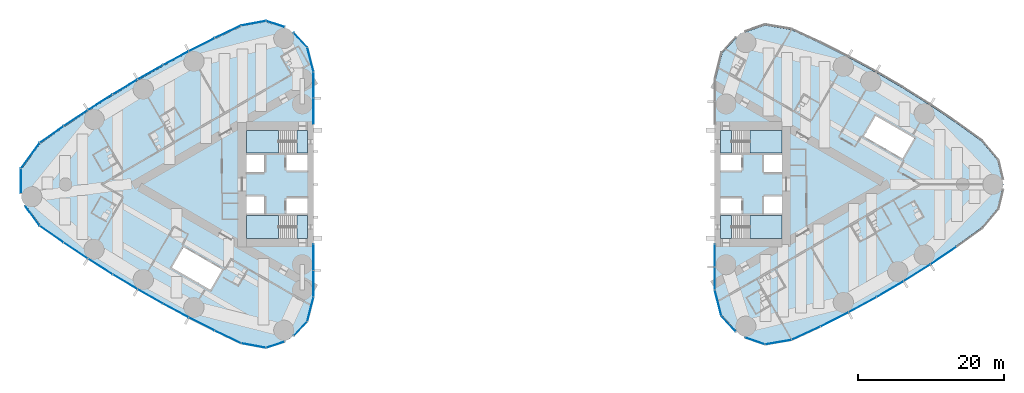
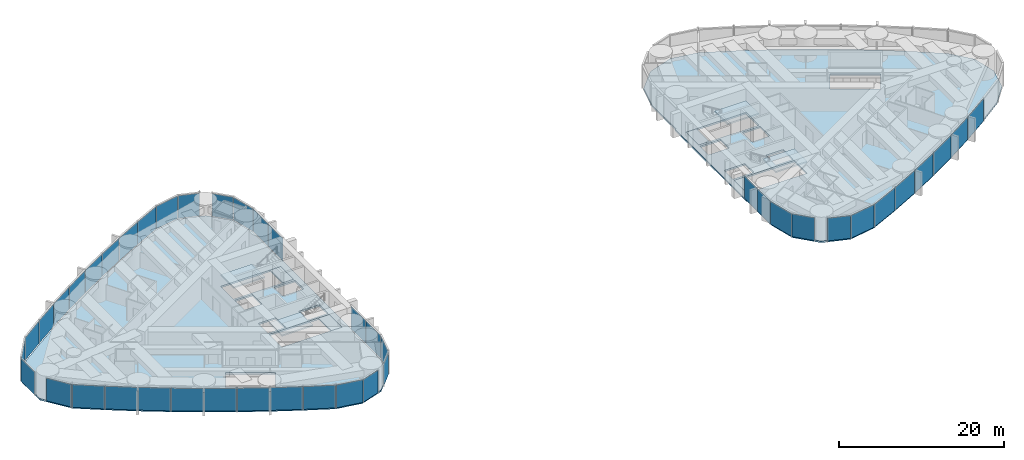
# One storey, part 10 of 19: 43 plates, 10 slabs, 10 elements without a shape of their own.
"""IFC4 building model written with IfcOpenShell, lengths in metres."""

from ifc_helpers import new_model, si_unit, direction, frame, origin, origin_2d, place, context, subcontext, project, spatial, polyline, rectangle, outline, extrude, material, layer, layer_set, type_object, element, aggregate, save


model = new_model("IFC4")

# Units and contexts
model_context = context("Model", 3, precision=1e-05, world=origin(), true_north=direction((0.0, 1.0)))
body_context = subcontext(model_context, "Body", "Model", "MODEL_VIEW")
ifc_project = project(units=[si_unit("LENGTHUNIT", "METRE"), si_unit("AREAUNIT", "SQUARE_METRE"), si_unit("VOLUMEUNIT", "CUBIC_METRE"), si_unit("PLANEANGLEUNIT", "RADIAN"), si_unit("MASSUNIT", "GRAM", prefix="KILO")], contexts=[model_context])

# Site, building, storey
site_placement = place(None, origin())
site = spatial("IfcSite", under=ifc_project, at=site_placement, CompositionType="ELEMENT")
building_placement = place(site_placement, origin())
building = spatial("IfcBuilding", under=site, at=building_placement, Name="Lancet Gate Hotel", CompositionType="ELEMENT")
storey_placement = place(building_placement, frame((0.0, 0.0, 170.300048828125)))
storey = spatial("IfcBuildingStorey", under=building, at=storey_placement, Name="L45", CompositionType="ELEMENT", Elevation=170.300048828125)

# Slabs
ifc_material_1 = material(Name="Concrete C50/60", Category="concrete")
ifc_layer_1 = layer(ifc_material_1, 0.25)
ifc_layer_set_1 = layer_set([ifc_layer_1], Name="Floor slab 250")
slab_type_1 = type_object("IfcSlabType", Name="Floor slab 250", PredefinedType="FLOOR", material=ifc_layer_set_1)
slab_1_placement = place(storey_placement, frame((0.0, 0.0, -0.25)))
element("IfcSlab", 1, at=slab_1_placement, inside=storey, type_object=slab_type_1, Name="T1 L45 floor slab", PredefinedType="FLOOR", context=body_context, shape_type="SweptSolid", body=[
    extrude(outline(polyline([(-27.5, 8.60009765625), (-27.6201171875, 8.60009765625), (-27.6201171875, 15.408203125), (-28.46923828125, 18.7265625), (-30.797607421875, 21.217529296875), (-34.0361328125, 22.283935546875), (-37.403564453125, 21.660400390625), (-40.996826171875, 19.9453125), (-44.561767578125, 18.139404296875), (-48.0830078125, 16.250244140625), (-51.558837890625, 14.27880859375), (-54.987548828125, 12.22607421875), (-58.366943359375, 10.09326171875), (-61.695068359375, 7.881591796875), (-64.955322265625, 5.602783203125), (-67.49560546875, 2.138427734375), (-67.49560546875, -2.138427734375), (-64.955322265625, -5.602783203125), (-61.695068359375, -7.881591796875), (-58.366943359375, -10.09326171875), (-54.987548828125, -12.22607421875), (-51.558837890625, -14.27880859375), (-48.0830078125, -16.250244140625), (-44.561767578125, -18.139404296875), (-40.996826171875, -19.9453125), (-37.403564453125, -21.660400390625), (-34.0361328125, -22.283935546875), (-30.797607421875, -21.217529296875), (-28.46923828125, -18.7265625), (-27.6201171875, -15.408203125), (-27.6201171875, -8.60009765625), (-27.5, -8.60009765625), (-27.5, -8.199951171875), (-27.5, 8.199951171875), (-27.5, 8.60009765625)]), holes=[polyline([(-36.699951171875, 7.39990234375), (-36.699951171875, 4.300048828125), (-28.300048828125, 4.300048828125), (-28.300048828125, 7.39990234375), (-36.699951171875, 7.39990234375)]), polyline([(-28.300048828125, 4.0), (-31.199951171875, 4.0), (-31.199951171875, 1.89990234375), (-28.300048828125, 1.89990234375), (-28.300048828125, 4.0)]), polyline([(-34.25, 4.0), (-36.699951171875, 4.0), (-36.699951171875, 1.64990234375), (-34.25, 1.64990234375), (-34.25, 4.0)]), polyline([(-36.699951171875, -1.64990234375), (-36.699951171875, -4.0), (-34.25, -4.0), (-34.25, -1.64990234375), (-36.699951171875, -1.64990234375)]), polyline([(-28.300048828125, -1.89990234375), (-31.199951171875, -1.89990234375), (-31.199951171875, -4.0), (-28.300048828125, -4.0), (-28.300048828125, -1.89990234375)]), polyline([(-28.300048828125, -4.300048828125), (-36.699951171875, -4.300048828125), (-36.699951171875, -7.39990234375), (-28.300048828125, -7.39990234375), (-28.300048828125, -4.300048828125)]), polyline([(-45.319091796875, -8.631103515625), (-46.9189453125, -11.402099609375), (-41.635986328125, -14.451904296875), (-40.035888671875, -11.680908203125), (-45.319091796875, -8.631103515625)])]), origin(), (0.0, 0.0, 1.0), 0.25),
])
slab_2_placement = place(storey_placement, frame((0.0, 0.0, -0.25)))
element("IfcSlab", 2, at=slab_2_placement, inside=storey, type_object=slab_type_1, Name="T2 L45 floor slab", PredefinedType="FLOOR", context=body_context, shape_type="SweptSolid", body=[
    extrude(outline(polyline([(27.5, -8.60009765625), (27.6201171875, -8.60009765625), (27.6201171875, -14.450439453125), (28.517822265625, -17.9853515625), (30.98291015625, -20.65185546875), (34.421875, -21.819091796875), (38.01513671875, -21.201171875), (41.9296875, -19.383056640625), (45.796875, -17.435302734375), (49.6005859375, -15.36572265625), (53.336669921875, -13.1767578125), (57.00146484375, -10.87060546875), (60.591552734375, -8.44921875), (64.092041015625, -5.9228515625), (66.283447265625, -3.307373046875), (67.06640625, 0.0), (66.283447265625, 3.307373046875), (64.092041015625, 5.9228515625), (60.591552734375, 8.44921875), (57.00146484375, 10.87060546875), (53.336669921875, 13.1767578125), (49.6005859375, 15.36572265625), (45.796875, 17.435302734375), (41.9296875, 19.383056640625), (38.01513671875, 21.201171875), (34.421875, 21.819091796875), (30.98291015625, 20.65185546875), (28.517822265625, 17.9853515625), (27.6201171875, 14.450439453125), (27.6201171875, 8.60009765625), (27.5, 8.60009765625), (27.5, 8.199951171875), (27.5, -8.199951171875), (27.5, -8.60009765625)]), holes=[polyline([(36.699951171875, -7.39990234375), (36.699951171875, -4.300048828125), (28.300048828125, -4.300048828125), (28.300048828125, -7.39990234375), (36.699951171875, -7.39990234375)]), polyline([(28.300048828125, -4.0), (31.199951171875, -4.0), (31.199951171875, -1.89990234375), (28.300048828125, -1.89990234375), (28.300048828125, -4.0)]), polyline([(34.25, -4.0), (36.699951171875, -4.0), (36.699951171875, -1.64990234375), (34.25, -1.64990234375), (34.25, -4.0)]), polyline([(36.699951171875, 1.64990234375), (36.699951171875, 4.0), (34.25, 4.0), (34.25, 1.64990234375), (36.699951171875, 1.64990234375)]), polyline([(28.300048828125, 1.89990234375), (31.199951171875, 1.89990234375), (31.199951171875, 4.0), (28.300048828125, 4.0), (28.300048828125, 1.89990234375)]), polyline([(28.300048828125, 4.300048828125), (36.699951171875, 4.300048828125), (36.699951171875, 7.39990234375), (28.300048828125, 7.39990234375), (28.300048828125, 4.300048828125)]), polyline([(53.242919921875, 3.555908203125), (54.843017578125, 6.326904296875), (49.56103515625, 9.376953125), (47.9609375, 6.60595703125), (53.242919921875, 3.555908203125)])]), origin(), (0.0, 0.0, 1.0), 0.25),
])

# Stair, slabs
ifc_material_2 = material(Name="Exit stair 20 risers 1500")
stair_type = type_object("IfcStairType", Name="Exit stair 20 risers 1500", PredefinedType="HALF_TURN_STAIR", material=ifc_material_2)
stair_1_placement = place(storey_placement, origin())
stair_1 = element("IfcStair", 3, at=stair_1_placement, inside=storey, type_object=stair_type, Name="T1 stair 1 L45", PredefinedType="HALF_TURN_STAIR")
ifc_material_3 = material(Name="Concrete C40/50", Category="concrete")
ifc_layer_2 = layer(ifc_material_3, 0.199951171875)
ifc_layer_set_2 = layer_set([ifc_layer_2], Name="Stair landing 200")
slab_type_2 = type_object("IfcSlabType", Name="Stair landing 200", PredefinedType="LANDING", material=ifc_layer_set_2)
slab_3_placement = place(storey_placement, frame((0.0, 0.0, -0.199951171875)))
slab_3 = element("IfcSlab", 4, at=slab_3_placement, type_object=slab_type_2, Name="ST1 landing 1", PredefinedType="LANDING", context=body_context, shape_type="SweptSolid", body=[
    extrude(outline(polyline([(-28.300048828125, 7.39990234375), (-29.800048828125, 7.39990234375), (-29.800048828125, 4.300048828125), (-28.300048828125, 4.300048828125), (-28.300048828125, 7.39990234375)])), origin(), (0.0, 0.0, 1.0), 0.199951171875),
])
slab_4_placement = place(storey_placement, frame((0.0, 0.0, 1.550048828125)))
slab_4 = element("IfcSlab", 5, at=slab_4_placement, type_object=slab_type_2, Name="ST1 landing 2", PredefinedType="LANDING", context=body_context, shape_type="SweptSolid", body=[
    extrude(outline(polyline([(-32.320068359375, 7.39990234375), (-36.699951171875, 7.39990234375), (-36.699951171875, 4.300048828125), (-32.320068359375, 4.300048828125), (-32.320068359375, 7.39990234375)])), origin(), (0.0, 0.0, 1.0), 0.199951171875),
])
aggregate(stair_1, [slab_3, slab_4])

stair_2_placement = place(storey_placement, origin())
stair_2 = element("IfcStair", 6, at=stair_2_placement, inside=storey, type_object=stair_type, Name="T1 stair 2 L45", PredefinedType="HALF_TURN_STAIR")
slab_5_placement = place(storey_placement, frame((0.0, 0.0, -0.199951171875)))
slab_5 = element("IfcSlab", 7, at=slab_5_placement, type_object=slab_type_2, Name="ST2 landing 1", PredefinedType="LANDING", context=body_context, shape_type="SweptSolid", body=[
    extrude(outline(polyline([(-28.300048828125, -4.300048828125), (-29.800048828125, -4.300048828125), (-29.800048828125, -7.39990234375), (-28.300048828125, -7.39990234375), (-28.300048828125, -4.300048828125)])), origin(), (0.0, 0.0, 1.0), 0.199951171875),
])
slab_6_placement = place(storey_placement, frame((0.0, 0.0, 1.550048828125)))
slab_6 = element("IfcSlab", 8, at=slab_6_placement, type_object=slab_type_2, Name="ST2 landing 2", PredefinedType="LANDING", context=body_context, shape_type="SweptSolid", body=[
    extrude(outline(polyline([(-32.320068359375, -4.300048828125), (-36.699951171875, -4.300048828125), (-36.699951171875, -7.39990234375), (-32.320068359375, -7.39990234375), (-32.320068359375, -4.300048828125)])), origin(), (0.0, 0.0, 1.0), 0.199951171875),
])
aggregate(stair_2, [slab_5, slab_6])

stair_3_placement = place(storey_placement, origin())
stair_3 = element("IfcStair", 9, at=stair_3_placement, inside=storey, type_object=stair_type, Name="T2 stair 1 L45", PredefinedType="HALF_TURN_STAIR")
slab_7_placement = place(storey_placement, frame((0.0, 0.0, -0.199951171875)))
slab_7 = element("IfcSlab", 10, at=slab_7_placement, type_object=slab_type_2, Name="ST3 landing 1", PredefinedType="LANDING", context=body_context, shape_type="SweptSolid", body=[
    extrude(outline(polyline([(28.300048828125, -7.39990234375), (29.800048828125, -7.39990234375), (29.800048828125, -4.300048828125), (28.300048828125, -4.300048828125), (28.300048828125, -7.39990234375)])), origin(), (0.0, 0.0, 1.0), 0.199951171875),
])
slab_8_placement = place(storey_placement, frame((0.0, 0.0, 1.550048828125)))
slab_8 = element("IfcSlab", 11, at=slab_8_placement, type_object=slab_type_2, Name="ST3 landing 2", PredefinedType="LANDING", context=body_context, shape_type="SweptSolid", body=[
    extrude(outline(polyline([(32.320068359375, -7.39990234375), (36.699951171875, -7.39990234375), (36.699951171875, -4.300048828125), (32.320068359375, -4.300048828125), (32.320068359375, -7.39990234375)])), origin(), (0.0, 0.0, 1.0), 0.199951171875),
])
aggregate(stair_3, [slab_7, slab_8])

stair_4_placement = place(storey_placement, origin())
stair_4 = element("IfcStair", 12, at=stair_4_placement, inside=storey, type_object=stair_type, Name="T2 stair 2 L45", PredefinedType="HALF_TURN_STAIR")
slab_9_placement = place(storey_placement, frame((0.0, 0.0, -0.199951171875)))
slab_9 = element("IfcSlab", 13, at=slab_9_placement, type_object=slab_type_2, Name="ST4 landing 1", PredefinedType="LANDING", context=body_context, shape_type="SweptSolid", body=[
    extrude(outline(polyline([(28.300048828125, 4.300048828125), (29.800048828125, 4.300048828125), (29.800048828125, 7.39990234375), (28.300048828125, 7.39990234375), (28.300048828125, 4.300048828125)])), origin(), (0.0, 0.0, 1.0), 0.199951171875),
])
slab_10_placement = place(storey_placement, frame((0.0, 0.0, 1.550048828125)))
slab_10 = element("IfcSlab", 14, at=slab_10_placement, type_object=slab_type_2, Name="ST4 landing 2", PredefinedType="LANDING", context=body_context, shape_type="SweptSolid", body=[
    extrude(outline(polyline([(32.320068359375, 4.300048828125), (36.699951171875, 4.300048828125), (36.699951171875, 7.39990234375), (32.320068359375, 7.39990234375), (32.320068359375, 4.300048828125)])), origin(), (0.0, 0.0, 1.0), 0.199951171875),
])
aggregate(stair_4, [slab_9, slab_10])

# Curtain wall, plates
ifc_material_4 = material(Name="Aluminium curtain wall", Category="aluminium")
curtain_wall_type = type_object("IfcCurtainWallType", Name="Tower unitised curtain wall", PredefinedType="USERDEFINED", material=ifc_material_4)
curtain_wall_1_placement = place(storey_placement, origin())
curtain_wall_1 = element("IfcCurtainWall", 15, at=curtain_wall_1_placement, inside=storey, type_object=curtain_wall_type, Name="T1 L45 curtain wall 1", ObjectType="UNITISED CURTAIN WALL", PredefinedType="USERDEFINED")
ifc_material_5 = material(Name="Glass double glazed unit 8-16-6", Category="glass")
ifc_layer_3 = layer(ifc_material_5, 0.030029296875)
ifc_layer_set_3 = layer_set([ifc_layer_3], Name="Vision panel double glazed")
plate_type = type_object("IfcPlateType", Name="Vision panel double glazed", PredefinedType="CURTAIN_PANEL", material=ifc_layer_set_3)
plate_1_placement = place(storey_placement, frame((-27.5, 10.005859375, 0.0), z_axis=(0.0, 0.0, 1.0), x_axis=(0.0, 1.0, 0.0)))
plate_1 = element("IfcPlate", 16, at=plate_1_placement, type_object=plate_type, Name="T1 L45 curtain wall 1 panel 1", PredefinedType="CURTAIN_PANEL", context=body_context, shape_type="SweptSolid", body=[
    extrude(rectangle(XDim=3.546630859375, YDim=0.030029296875, at=origin_2d()), origin(), (0.0, 0.0, 1.0), 3.35009765625),
])
plate_2_placement = place(storey_placement, frame((-27.5, 13.617431640625, 0.0), z_axis=(0.0, 0.0, 1.0), x_axis=(0.0, 1.0, 0.0)))
plate_2 = element("IfcPlate", 17, at=plate_2_placement, type_object=plate_type, Name="T1 L45 curtain wall 1 panel 2", PredefinedType="CURTAIN_PANEL", context=body_context, shape_type="SweptSolid", body=[
    extrude(rectangle(XDim=3.546630859375, YDim=0.030029296875, at=origin_2d()), origin(), (0.0, 0.0, 1.0), 3.35009765625),
])
plate_3_placement = place(storey_placement, frame((-27.930419921875, 17.104736328125, 0.0), z_axis=(0.0, 0.0, 1.0), x_axis=(-0.247936754654, 0.968776220647, 0.0)))
plate_3 = element("IfcPlate", 18, at=plate_3_placement, type_object=plate_type, Name="T1 L45 curtain wall 1 panel 3", PredefinedType="CURTAIN_PANEL", context=body_context, shape_type="SweptSolid", body=[
    extrude(rectangle(XDim=3.406005859375, YDim=0.030029296875, at=origin_2d()), origin(), (0.0, 0.0, 1.0), 3.35009765625),
])
plate_4_placement = place(storey_placement, frame((-29.28564453125, 19.77587890625, 0.0), z_axis=(0.0, 0.0, 1.0), x_axis=(-0.682844962172, 0.730563315282, 0.0)))
plate_4 = element("IfcPlate", 19, at=plate_4_placement, type_object=plate_type, Name="T1 L45 curtain wall 1 panel 4", PredefinedType="CURTAIN_PANEL", context=body_context, shape_type="SweptSolid", body=[
    extrude(rectangle(XDim=2.64453125, YDim=0.030029296875, at=origin_2d()), origin(), (0.0, 0.0, 1.0), 3.35009765625),
])
aggregate(curtain_wall_1, [plate_1, plate_2, plate_3, plate_4])

curtain_wall_2_placement = place(storey_placement, origin())
curtain_wall_2 = element("IfcCurtainWall", 20, at=curtain_wall_2_placement, inside=storey, type_object=curtain_wall_type, Name="T1 L45 curtain wall 2", ObjectType="UNITISED CURTAIN WALL", PredefinedType="USERDEFINED")
plate_5_placement = place(storey_placement, frame((-32.740234375, 21.983642578125, 0.0), z_axis=(0.0, 0.0, 1.0), x_axis=(-0.949848055084, 0.312711803827, 0.0)))
plate_5 = element("IfcPlate", 21, at=plate_5_placement, type_object=plate_type, Name="T1 L45 curtain wall 2 panel 1", PredefinedType="CURTAIN_PANEL", context=body_context, shape_type="SweptSolid", body=[
    extrude(rectangle(XDim=2.64599609375, YDim=0.030029296875, at=origin_2d()), origin(), (0.0, 0.0, 1.0), 3.35009765625),
])
plate_6_placement = place(storey_placement, frame((-35.734375, 22.091552734375, 0.0), z_axis=(0.0, 0.0, 1.0), x_axis=(-0.983292499426, -0.182032581075, 0.0)))
plate_6 = element("IfcPlate", 22, at=plate_6_placement, type_object=plate_type, Name="T1 L45 curtain wall 2 panel 2", PredefinedType="CURTAIN_PANEL", context=body_context, shape_type="SweptSolid", body=[
    extrude(rectangle(XDim=3.406005859375, YDim=0.030029296875, at=origin_2d()), origin(), (0.0, 0.0, 1.0), 3.35009765625),
])
plate_7_placement = place(storey_placement, frame((-39.245361328125, 20.914306640625, 0.0), z_axis=(0.0, 0.0, 1.0), x_axis=(-0.902453530018, -0.430787216799, 0.0)))
plate_7 = element("IfcPlate", 23, at=plate_7_placement, type_object=plate_type, Name="T1 L45 curtain wall 2 panel 3", PredefinedType="CURTAIN_PANEL", context=body_context, shape_type="SweptSolid", body=[
    extrude(rectangle(XDim=3.933837890625, YDim=0.030029296875, at=origin_2d()), origin(), (0.0, 0.0, 1.0), 3.35009765625),
])
plate_8_placement = place(storey_placement, frame((-42.83349609375, 19.1494140625, 0.0), z_axis=(0.0, 0.0, 1.0), x_axis=(-0.892071119911, -0.451895028762, 0.0)))
plate_8 = element("IfcPlate", 24, at=plate_8_placement, type_object=plate_type, Name="T1 L45 curtain wall 2 panel 4", PredefinedType="CURTAIN_PANEL", context=body_context, shape_type="SweptSolid", body=[
    extrude(rectangle(XDim=3.933837890625, YDim=0.030029296875, at=origin_2d()), origin(), (0.0, 0.0, 1.0), 3.35009765625),
])
plate_9_placement = place(storey_placement, frame((-46.379150390625, 17.300537109375, 0.0), z_axis=(0.0, 0.0, 1.0), x_axis=(-0.881195096384, -0.472752791751, 0.0)))
plate_9 = element("IfcPlate", 25, at=plate_9_placement, type_object=plate_type, Name="T1 L45 curtain wall 2 panel 5", PredefinedType="CURTAIN_PANEL", context=body_context, shape_type="SweptSolid", body=[
    extrude(rectangle(XDim=3.933837890625, YDim=0.030029296875, at=origin_2d()), origin(), (0.0, 0.0, 1.0), 3.35009765625),
])
plate_10_placement = place(storey_placement, frame((-49.880126953125, 15.368896484375, 0.0), z_axis=(0.0, 0.0, 1.0), x_axis=(-0.869831477496, -0.493348964484, 0.0)))
plate_10 = element("IfcPlate", 26, at=plate_10_placement, type_object=plate_type, Name="T1 L45 curtain wall 2 panel 6", PredefinedType="CURTAIN_PANEL", context=body_context, shape_type="SweptSolid", body=[
    extrude(rectangle(XDim=3.933837890625, YDim=0.030029296875, at=origin_2d()), origin(), (0.0, 0.0, 1.0), 3.35009765625),
])
plate_11_placement = place(storey_placement, frame((-53.3349609375, 13.35546875, 0.0), z_axis=(0.0, 0.0, 1.0), x_axis=(-0.857986551132, -0.51367215038, 0.0)))
plate_11 = element("IfcPlate", 27, at=plate_11_placement, type_object=plate_type, Name="T1 L45 curtain wall 2 panel 7", PredefinedType="CURTAIN_PANEL", context=body_context, shape_type="SweptSolid", body=[
    extrude(rectangle(XDim=3.933837890625, YDim=0.030029296875, at=origin_2d()), origin(), (0.0, 0.0, 1.0), 3.35009765625),
])
plate_12_placement = place(storey_placement, frame((-56.7412109375, 11.26123046875, 0.0), z_axis=(0.0, 0.0, 1.0), x_axis=(-0.845666871497, -0.533711103925, 0.0)))
plate_12 = element("IfcPlate", 28, at=plate_12_placement, type_object=plate_type, Name="T1 L45 curtain wall 2 panel 8", PredefinedType="CURTAIN_PANEL", context=body_context, shape_type="SweptSolid", body=[
    extrude(rectangle(XDim=3.933837890625, YDim=0.030029296875, at=origin_2d()), origin(), (0.0, 0.0, 1.0), 3.35009765625),
])
plate_13_placement = place(storey_placement, frame((-60.097412109375, 9.08740234375, 0.0), z_axis=(0.0, 0.0, 1.0), x_axis=(-0.832879255498, -0.553454736867, 0.0)))
plate_13 = element("IfcPlate", 29, at=plate_13_placement, type_object=plate_type, Name="T1 L45 curtain wall 2 panel 9", PredefinedType="CURTAIN_PANEL", context=body_context, shape_type="SweptSolid", body=[
    extrude(rectangle(XDim=3.933837890625, YDim=0.030029296875, at=origin_2d()), origin(), (0.0, 0.0, 1.0), 3.35009765625),
])
plate_14_placement = place(storey_placement, frame((-63.401611328125, 6.835205078125, 0.0), z_axis=(0.0, 0.0, 1.0), x_axis=(-0.819630778943, -0.572892124409, 0.0)))
plate_14 = element("IfcPlate", 30, at=plate_14_placement, type_object=plate_type, Name="T1 L45 curtain wall 2 panel 10", PredefinedType="CURTAIN_PANEL", context=body_context, shape_type="SweptSolid", body=[
    extrude(rectangle(XDim=3.933837890625, YDim=0.030029296875, at=origin_2d()), origin(), (0.0, 0.0, 1.0), 3.35009765625),
])
plate_15_placement = place(storey_placement, frame((-66.328125, 3.933837890625, 0.0), z_axis=(0.0, 0.0, 1.0), x_axis=(-0.591299785592, -0.806451835858, 0.0)))
plate_15 = element("IfcPlate", 31, at=plate_15_placement, type_object=plate_type, Name="T1 L45 curtain wall 2 panel 11", PredefinedType="CURTAIN_PANEL", context=body_context, shape_type="SweptSolid", body=[
    extrude(rectangle(XDim=4.290283203125, YDim=0.030029296875, at=origin_2d()), origin(), (0.0, 0.0, 1.0), 3.35009765625),
])
plate_16_placement = place(storey_placement, frame((-67.61572265625, 0.478515625, 0.0), z_axis=(0.0, 0.0, 1.0), x_axis=(0.0, -1.0, 0.0)))
plate_16 = element("IfcPlate", 32, at=plate_16_placement, type_object=plate_type, Name="T1 L45 curtain wall 2 panel 12", PredefinedType="CURTAIN_PANEL", context=body_context, shape_type="SweptSolid", body=[
    extrude(rectangle(XDim=3.333251953125, YDim=0.030029296875, at=origin_2d()), origin(), (0.0, 0.0, 1.0), 3.35009765625),
])
aggregate(curtain_wall_2, [plate_5, plate_6, plate_7, plate_8, plate_9, plate_10, plate_11, plate_12, plate_13, plate_14, plate_15, plate_16])

curtain_wall_3_placement = place(storey_placement, origin())
curtain_wall_3 = element("IfcCurtainWall", 33, at=curtain_wall_3_placement, inside=storey, type_object=curtain_wall_type, Name="T1 L45 curtain wall 3", ObjectType="UNITISED CURTAIN WALL", PredefinedType="USERDEFINED")
plate_17_placement = place(storey_placement, frame((-66.04541015625, -4.3193359375, 0.0), z_axis=(0.0, 0.0, 1.0), x_axis=(0.591299785592, -0.806451835858, 0.0)))
plate_17 = element("IfcPlate", 34, at=plate_17_placement, type_object=plate_type, Name="T1 L45 curtain wall 3 panel 1", PredefinedType="CURTAIN_PANEL", context=body_context, shape_type="SweptSolid", body=[
    extrude(rectangle(XDim=3.334228515625, YDim=0.030029296875, at=origin_2d()), origin(), (0.0, 0.0, 1.0), 3.35009765625),
])
plate_18_placement = place(storey_placement, frame((-63.401611328125, -6.835205078125, 0.0), z_axis=(0.0, 0.0, 1.0), x_axis=(0.819630778943, -0.572892124409, 0.0)))
plate_18 = element("IfcPlate", 35, at=plate_18_placement, type_object=plate_type, Name="T1 L45 curtain wall 3 panel 2", PredefinedType="CURTAIN_PANEL", context=body_context, shape_type="SweptSolid", body=[
    extrude(rectangle(XDim=3.933837890625, YDim=0.030029296875, at=origin_2d()), origin(), (0.0, 0.0, 1.0), 3.35009765625),
])
plate_19_placement = place(storey_placement, frame((-60.097412109375, -9.08740234375, 0.0), z_axis=(0.0, 0.0, 1.0), x_axis=(0.832879255498, -0.553454736867, 0.0)))
plate_19 = element("IfcPlate", 36, at=plate_19_placement, type_object=plate_type, Name="T1 L45 curtain wall 3 panel 3", PredefinedType="CURTAIN_PANEL", context=body_context, shape_type="SweptSolid", body=[
    extrude(rectangle(XDim=3.933837890625, YDim=0.030029296875, at=origin_2d()), origin(), (0.0, 0.0, 1.0), 3.35009765625),
])
plate_20_placement = place(storey_placement, frame((-56.7412109375, -11.26123046875, 0.0), z_axis=(0.0, 0.0, 1.0), x_axis=(0.845666871497, -0.533711103925, 0.0)))
plate_20 = element("IfcPlate", 37, at=plate_20_placement, type_object=plate_type, Name="T1 L45 curtain wall 3 panel 4", PredefinedType="CURTAIN_PANEL", context=body_context, shape_type="SweptSolid", body=[
    extrude(rectangle(XDim=3.933837890625, YDim=0.030029296875, at=origin_2d()), origin(), (0.0, 0.0, 1.0), 3.35009765625),
])
plate_21_placement = place(storey_placement, frame((-53.3349609375, -13.35546875, 0.0), z_axis=(0.0, 0.0, 1.0), x_axis=(0.857986551132, -0.51367215038, 0.0)))
plate_21 = element("IfcPlate", 38, at=plate_21_placement, type_object=plate_type, Name="T1 L45 curtain wall 3 panel 5", PredefinedType="CURTAIN_PANEL", context=body_context, shape_type="SweptSolid", body=[
    extrude(rectangle(XDim=3.933837890625, YDim=0.030029296875, at=origin_2d()), origin(), (0.0, 0.0, 1.0), 3.35009765625),
])
plate_22_placement = place(storey_placement, frame((-49.880126953125, -15.368896484375, 0.0), z_axis=(0.0, 0.0, 1.0), x_axis=(0.869831477496, -0.493348964484, 0.0)))
plate_22 = element("IfcPlate", 39, at=plate_22_placement, type_object=plate_type, Name="T1 L45 curtain wall 3 panel 6", PredefinedType="CURTAIN_PANEL", context=body_context, shape_type="SweptSolid", body=[
    extrude(rectangle(XDim=3.933837890625, YDim=0.030029296875, at=origin_2d()), origin(), (0.0, 0.0, 1.0), 3.35009765625),
])
plate_23_placement = place(storey_placement, frame((-46.379150390625, -17.300537109375, 0.0), z_axis=(0.0, 0.0, 1.0), x_axis=(0.881195096384, -0.472752791751, 0.0)))
plate_23 = element("IfcPlate", 40, at=plate_23_placement, type_object=plate_type, Name="T1 L45 curtain wall 3 panel 7", PredefinedType="CURTAIN_PANEL", context=body_context, shape_type="SweptSolid", body=[
    extrude(rectangle(XDim=3.933837890625, YDim=0.030029296875, at=origin_2d()), origin(), (0.0, 0.0, 1.0), 3.35009765625),
])
plate_24_placement = place(storey_placement, frame((-42.83349609375, -19.1494140625, 0.0), z_axis=(0.0, 0.0, 1.0), x_axis=(0.892071119911, -0.451895028762, 0.0)))
plate_24 = element("IfcPlate", 41, at=plate_24_placement, type_object=plate_type, Name="T1 L45 curtain wall 3 panel 8", PredefinedType="CURTAIN_PANEL", context=body_context, shape_type="SweptSolid", body=[
    extrude(rectangle(XDim=3.933837890625, YDim=0.030029296875, at=origin_2d()), origin(), (0.0, 0.0, 1.0), 3.35009765625),
])
plate_25_placement = place(storey_placement, frame((-39.245361328125, -20.914306640625, 0.0), z_axis=(0.0, 0.0, 1.0), x_axis=(0.902453530018, -0.430787216799, 0.0)))
plate_25 = element("IfcPlate", 42, at=plate_25_placement, type_object=plate_type, Name="T1 L45 curtain wall 3 panel 9", PredefinedType="CURTAIN_PANEL", context=body_context, shape_type="SweptSolid", body=[
    extrude(rectangle(XDim=3.933837890625, YDim=0.030029296875, at=origin_2d()), origin(), (0.0, 0.0, 1.0), 3.35009765625),
])
plate_26_placement = place(storey_placement, frame((-35.734375, -22.091552734375, 0.0), z_axis=(0.0, 0.0, 1.0), x_axis=(0.983292499426, -0.182032581075, 0.0)))
plate_26 = element("IfcPlate", 43, at=plate_26_placement, type_object=plate_type, Name="T1 L45 curtain wall 3 panel 10", PredefinedType="CURTAIN_PANEL", context=body_context, shape_type="SweptSolid", body=[
    extrude(rectangle(XDim=3.406005859375, YDim=0.030029296875, at=origin_2d()), origin(), (0.0, 0.0, 1.0), 3.35009765625),
])
plate_27_placement = place(storey_placement, frame((-32.740234375, -21.983642578125, 0.0), z_axis=(0.0, 0.0, 1.0), x_axis=(0.949848055084, 0.312711803827, 0.0)))
plate_27 = element("IfcPlate", 44, at=plate_27_placement, type_object=plate_type, Name="T1 L45 curtain wall 3 panel 11", PredefinedType="CURTAIN_PANEL", context=body_context, shape_type="SweptSolid", body=[
    extrude(rectangle(XDim=2.64599609375, YDim=0.030029296875, at=origin_2d()), origin(), (0.0, 0.0, 1.0), 3.35009765625),
])
aggregate(curtain_wall_3, [plate_17, plate_18, plate_19, plate_20, plate_21, plate_22, plate_23, plate_24, plate_25, plate_26, plate_27])

curtain_wall_4_placement = place(storey_placement, origin())
curtain_wall_4 = element("IfcCurtainWall", 45, at=curtain_wall_4_placement, inside=storey, type_object=curtain_wall_type, Name="T1 L45 curtain wall 4", ObjectType="UNITISED CURTAIN WALL", PredefinedType="USERDEFINED")
plate_28_placement = place(storey_placement, frame((-29.28564453125, -19.77587890625, 0.0), z_axis=(0.0, 0.0, 1.0), x_axis=(0.682844962172, 0.730563315282, 0.0)))
plate_28 = element("IfcPlate", 46, at=plate_28_placement, type_object=plate_type, Name="T1 L45 curtain wall 4 panel 1", PredefinedType="CURTAIN_PANEL", context=body_context, shape_type="SweptSolid", body=[
    extrude(rectangle(XDim=2.64453125, YDim=0.030029296875, at=origin_2d()), origin(), (0.0, 0.0, 1.0), 3.35009765625),
])
plate_29_placement = place(storey_placement, frame((-27.930419921875, -17.104736328125, 0.0), z_axis=(0.0, 0.0, 1.0), x_axis=(0.247936754654, 0.968776220647, 0.0)))
plate_29 = element("IfcPlate", 47, at=plate_29_placement, type_object=plate_type, Name="T1 L45 curtain wall 4 panel 2", PredefinedType="CURTAIN_PANEL", context=body_context, shape_type="SweptSolid", body=[
    extrude(rectangle(XDim=3.406005859375, YDim=0.030029296875, at=origin_2d()), origin(), (0.0, 0.0, 1.0), 3.35009765625),
])
plate_30_placement = place(storey_placement, frame((-27.5, -13.617431640625, 0.0), z_axis=(0.0, 0.0, 1.0), x_axis=(0.0, 1.0, 0.0)))
plate_30 = element("IfcPlate", 48, at=plate_30_placement, type_object=plate_type, Name="T1 L45 curtain wall 4 panel 3", PredefinedType="CURTAIN_PANEL", context=body_context, shape_type="SweptSolid", body=[
    extrude(rectangle(XDim=3.546630859375, YDim=0.030029296875, at=origin_2d()), origin(), (0.0, 0.0, 1.0), 3.35009765625),
])
plate_31_placement = place(storey_placement, frame((-27.5, -10.005859375, 0.0), z_axis=(0.0, 0.0, 1.0), x_axis=(0.0, 1.0, 0.0)))
plate_31 = element("IfcPlate", 49, at=plate_31_placement, type_object=plate_type, Name="T1 L45 curtain wall 4 panel 4", PredefinedType="CURTAIN_PANEL", context=body_context, shape_type="SweptSolid", body=[
    extrude(rectangle(XDim=3.546630859375, YDim=0.030029296875, at=origin_2d()), origin(), (0.0, 0.0, 1.0), 3.35009765625),
])
aggregate(curtain_wall_4, [plate_28, plate_29, plate_30, plate_31])

curtain_wall_5_placement = place(storey_placement, origin())
curtain_wall_5 = element("IfcCurtainWall", 50, at=curtain_wall_5_placement, inside=storey, type_object=curtain_wall_type, Name="T2 L45 curtain wall 1", ObjectType="UNITISED CURTAIN WALL", PredefinedType="USERDEFINED")
plate_32_placement = place(storey_placement, frame((27.5, -9.766357421875, 0.0), z_axis=(0.0, 0.0, 1.0), x_axis=(0.0, -1.0, 0.0)))
plate_32 = element("IfcPlate", 51, at=plate_32_placement, type_object=plate_type, Name="T2 L45 curtain wall 1 panel 1", PredefinedType="CURTAIN_PANEL", context=body_context, shape_type="SweptSolid", body=[
    extrude(rectangle(XDim=3.06787109375, YDim=0.030029296875, at=origin_2d()), origin(), (0.0, 0.0, 1.0), 3.35009765625),
])
plate_33_placement = place(storey_placement, frame((27.5, -12.899169921875, 0.0), z_axis=(0.0, 0.0, 1.0), x_axis=(0.0, -1.0, 0.0)))
plate_33 = element("IfcPlate", 52, at=plate_33_placement, type_object=plate_type, Name="T2 L45 curtain wall 1 panel 2", PredefinedType="CURTAIN_PANEL", context=body_context, shape_type="SweptSolid", body=[
    extrude(rectangle(XDim=3.06787109375, YDim=0.030029296875, at=origin_2d()), origin(), (0.0, 0.0, 1.0), 3.35009765625),
])
plate_34_placement = place(storey_placement, frame((27.95458984375, -16.2548828125, 0.0), z_axis=(0.0, 0.0, 1.0), x_axis=(0.246166705764, -0.969227503207, 0.0)))
plate_34 = element("IfcPlate", 53, at=plate_34_placement, type_object=plate_type, Name="T2 L45 curtain wall 1 panel 3", PredefinedType="CURTAIN_PANEL", context=body_context, shape_type="SweptSolid", body=[
    extrude(rectangle(XDim=3.62744140625, YDim=0.030029296875, at=origin_2d()), origin(), (0.0, 0.0, 1.0), 3.35009765625),
])
plate_35_placement = place(storey_placement, frame((29.4052734375, -19.122314453125, 0.0), z_axis=(0.0, 0.0, 1.0), x_axis=(0.67883123083, -0.734294327943, 0.0)))
plate_35 = element("IfcPlate", 54, at=plate_35_placement, type_object=plate_type, Name="T2 L45 curtain wall 1 panel 4", PredefinedType="CURTAIN_PANEL", context=body_context, shape_type="SweptSolid", body=[
    extrude(rectangle(XDim=2.87060546875, YDim=0.030029296875, at=origin_2d()), origin(), (0.0, 0.0, 1.0), 3.35009765625),
])
aggregate(curtain_wall_5, [plate_32, plate_33, plate_34, plate_35])

curtain_wall_6_placement = place(storey_placement, origin())
curtain_wall_6 = element("IfcCurtainWall", 55, at=curtain_wall_6_placement, inside=storey, type_object=curtain_wall_type, Name="T2 L45 curtain wall 2", ObjectType="UNITISED CURTAIN WALL", PredefinedType="USERDEFINED")
plate_36_placement = place(storey_placement, frame((33.02197265625, -21.470703125, 0.0), z_axis=(0.0, 0.0, 1.0), x_axis=(0.946952368511, -0.321373943827, 0.0)))
plate_36 = element("IfcPlate", 56, at=plate_36_placement, type_object=plate_type, Name="T2 L45 curtain wall 2 panel 1", PredefinedType="CURTAIN_PANEL", context=body_context, shape_type="SweptSolid", body=[
    extrude(rectangle(XDim=2.871337890625, YDim=0.030029296875, at=origin_2d()), origin(), (0.0, 0.0, 1.0), 3.35009765625),
])
plate_37_placement = place(storey_placement, frame((36.231689453125, -21.629638671875, 0.0), z_axis=(0.0, 0.0, 1.0), x_axis=(0.985539649572, 0.169444973729, 0.0)))
plate_37 = element("IfcPlate", 57, at=plate_37_placement, type_object=plate_type, Name="T2 L45 curtain wall 2 panel 2", PredefinedType="CURTAIN_PANEL", context=body_context, shape_type="SweptSolid", body=[
    extrude(rectangle(XDim=3.62744140625, YDim=0.030029296875, at=origin_2d()), origin(), (0.0, 0.0, 1.0), 3.35009765625),
])
plate_38_placement = place(storey_placement, frame((40.0166015625, -20.40380859375, 0.0), z_axis=(0.0, 0.0, 1.0), x_axis=(0.906934888522, 0.421270824982, 0.0)))
plate_38 = element("IfcPlate", 58, at=plate_38_placement, type_object=plate_type, Name="T2 L45 curtain wall 2 panel 3", PredefinedType="CURTAIN_PANEL", context=body_context, shape_type="SweptSolid", body=[
    extrude(rectangle(XDim=4.26904296875, YDim=0.030029296875, at=origin_2d()), origin(), (0.0, 0.0, 1.0), 3.35009765625),
])
plate_39_placement = place(storey_placement, frame((43.917236328125, -18.516357421875, 0.0), z_axis=(0.0, 0.0, 1.0), x_axis=(0.893121465596, 0.449815570752, 0.0)))
plate_39 = element("IfcPlate", 59, at=plate_39_placement, type_object=plate_type, Name="T2 L45 curtain wall 2 panel 4", PredefinedType="CURTAIN_PANEL", context=body_context, shape_type="SweptSolid", body=[
    extrude(rectangle(XDim=4.26904296875, YDim=0.030029296875, at=origin_2d()), origin(), (0.0, 0.0, 1.0), 3.35009765625),
])
plate_40_placement = place(storey_placement, frame((47.756103515625, -16.505859375, 0.0), z_axis=(0.0, 0.0, 1.0), x_axis=(0.878409907967, 0.477907976063, 0.0)))
plate_40 = element("IfcPlate", 60, at=plate_40_placement, type_object=plate_type, Name="T2 L45 curtain wall 2 panel 5", PredefinedType="CURTAIN_PANEL", context=body_context, shape_type="SweptSolid", body=[
    extrude(rectangle(XDim=4.26904296875, YDim=0.030029296875, at=origin_2d()), origin(), (0.0, 0.0, 1.0), 3.35009765625),
])
plate_41_placement = place(storey_placement, frame((51.529296875, -14.374755859375, 0.0), z_axis=(0.0, 0.0, 1.0), x_axis=(0.862815009772, 0.505519790822, 0.0)))
plate_41 = element("IfcPlate", 61, at=plate_41_placement, type_object=plate_type, Name="T2 L45 curtain wall 2 panel 6", PredefinedType="CURTAIN_PANEL", context=body_context, shape_type="SweptSolid", body=[
    extrude(rectangle(XDim=4.26904296875, YDim=0.030029296875, at=origin_2d()), origin(), (0.0, 0.0, 1.0), 3.35009765625),
])
plate_42_placement = place(storey_placement, frame((55.233154296875, -12.125244140625, 0.0), z_axis=(0.0, 0.0, 1.0), x_axis=(0.846352453444, 0.532623248225, 0.0)))
plate_42 = element("IfcPlate", 62, at=plate_42_placement, type_object=plate_type, Name="T2 L45 curtain wall 2 panel 7", PredefinedType="CURTAIN_PANEL", context=body_context, shape_type="SweptSolid", body=[
    extrude(rectangle(XDim=4.26904296875, YDim=0.030029296875, at=origin_2d()), origin(), (0.0, 0.0, 1.0), 3.35009765625),
])
plate_43_placement = place(storey_placement, frame((58.863525390625, -9.75927734375, 0.0), z_axis=(0.0, 0.0, 1.0), x_axis=(0.829038793948, 0.559191092677, 0.0)))
plate_43 = element("IfcPlate", 63, at=plate_43_placement, type_object=plate_type, Name="T2 L45 curtain wall 2 panel 8", PredefinedType="CURTAIN_PANEL", context=body_context, shape_type="SweptSolid", body=[
    extrude(rectangle(XDim=4.26904296875, YDim=0.030029296875, at=origin_2d()), origin(), (0.0, 0.0, 1.0), 3.35009765625),
])
aggregate(curtain_wall_6, [plate_36, plate_37, plate_38, plate_39, plate_40, plate_41, plate_42, plate_43])

save(model, "model.ifc")
